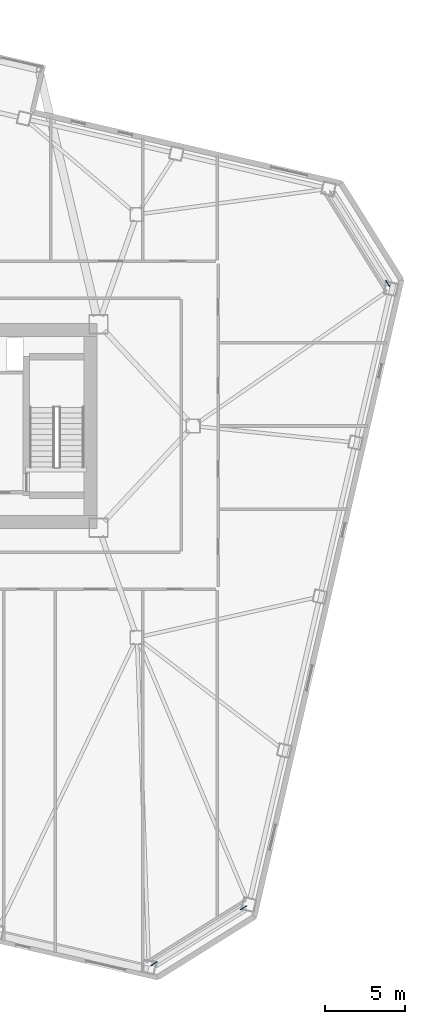
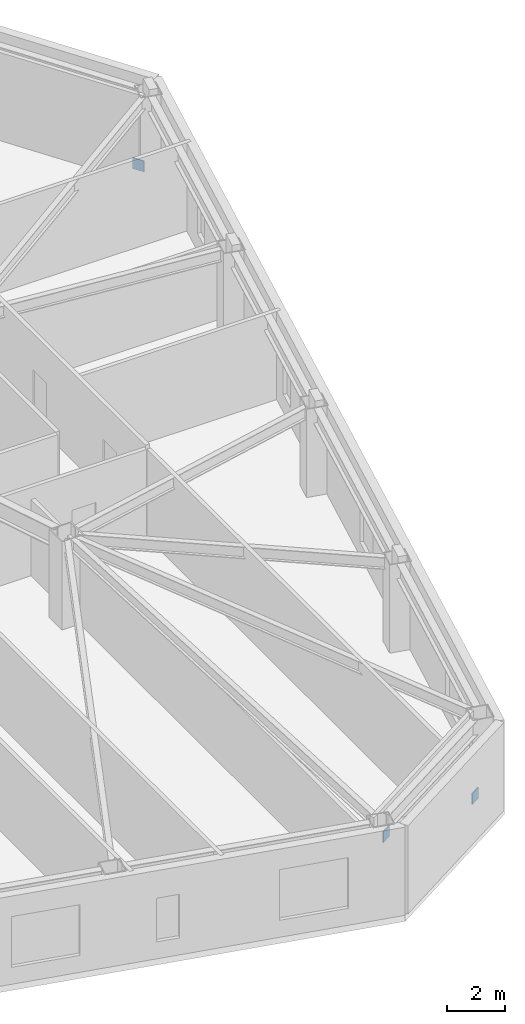
# One storey, part 21 of 23: 3 discrete accessories.
"""IFC4 building model written with IfcOpenShell, lengths in metres."""

from ifc_helpers import new_model, si_unit, direction, frame, origin, origin_2d, place, context, subcontext, project, spatial, rectangle, extrude, material, type_object, element, save


model = new_model("IFC4")

# Units and contexts
model_context = context("Model", 3, precision=1e-05, world=origin(), true_north=direction((0.0, 1.0)))
body_context = subcontext(model_context, "Body", "Model", "MODEL_VIEW")
ifc_project = project(units=[si_unit("LENGTHUNIT", "METRE"), si_unit("AREAUNIT", "SQUARE_METRE"), si_unit("VOLUMEUNIT", "CUBIC_METRE"), si_unit("PLANEANGLEUNIT", "RADIAN"), si_unit("MASSUNIT", "GRAM", prefix="KILO")], contexts=[model_context])

# Site, building, storey
site_placement = place(None, origin())
site = spatial("IfcSite", under=ifc_project, at=site_placement, CompositionType="ELEMENT")
building_placement = place(site_placement, origin())
building = spatial("IfcBuilding", under=site, at=building_placement, Name="Tavrogorsk Clinical Tower", CompositionType="ELEMENT")
storey_placement = place(building_placement, frame((0.0, 0.0, 63.39990234375)))
storey = spatial("IfcBuildingStorey", under=building, at=storey_placement, Name="L13", CompositionType="ELEMENT", Elevation=63.39990234375)

# Discrete accessories
ifc_material = material(Name="Structural steel S440", Category="steel")
discrete_accessory_type = type_object("IfcDiscreteAccessoryType", Name="GussetPlateBracket_25", PredefinedType="BRACKET", material=ifc_material)
for number, where, z_axis, x_axis, name in (
    (1, (31.15185546875, -30.062255859375, 0.212646484375), (0.0, 0.0, 1.0), (-0.848048096156, -0.529919264233, 0.0), "L13 Brace Gusset Plate EXOCRN-L13-1-A"),
    (2, (25.56396484375, -33.553955078125, 2.667724609375), (0.0, 0.0, 1.0), (-0.848048096156, -0.529919264233, 0.0), "L13 Brace Gusset Plate EXOCRN-L13-1-B"),
    (3, (40.145751953125, 8.893798828125, 0.212646484375), (0.0, 0.0, 1.0), (-0.529919264233, 0.848048096156, 0.0), "L13 Brace Gusset Plate EXOCRN-L13-2-A"),
):
    element("IfcDiscreteAccessory", number, at=place(storey_placement, frame(where, z_axis=z_axis, x_axis=x_axis)), inside=storey, type_object=discrete_accessory_type, Name=name, PredefinedType="BRACKET", context=body_context, shape_type="SweptSolid", body=[
        extrude(rectangle(XDim=0.4599609375, YDim=0.0400390625, at=origin_2d()), origin(), (0.0, 0.0, 1.0), 0.4599609375),
    ])

save(model, "model.ifc")
